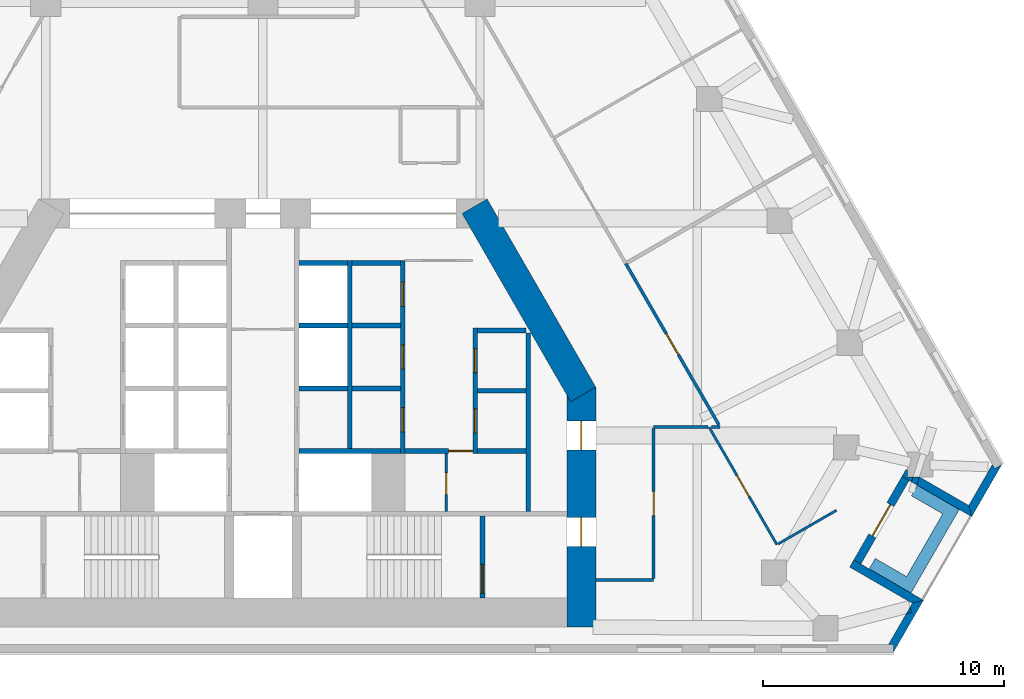
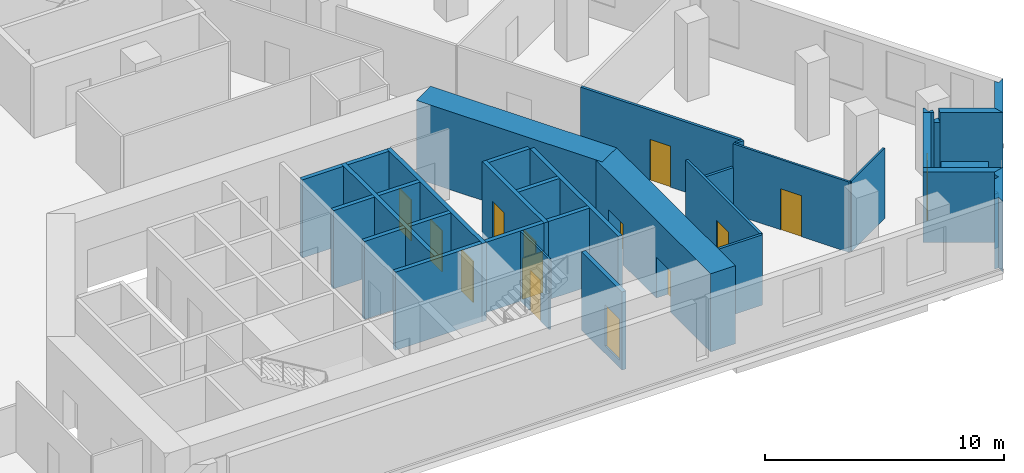
# One storey, part 6 of 9: 35 walls, 14 doors, 14 openings.
"""IFC4 building model written with IfcOpenShell, lengths in metres."""

from ifc_helpers import new_model, si_unit, direction, frame, frame_2d, origin, place, context, subcontext, project, spatial, polyline, rectangle, outline, extrude, material, layer, layer_set, type_object, element, fill, save


model = new_model("IFC4")

# Units and contexts
model_context = context("Model", 3, precision=1e-05, world=origin(), true_north=direction((0.0, 1.0)))
body_context = subcontext(model_context, "Body", "Model", "MODEL_VIEW")
ifc_project = project(units=[si_unit("LENGTHUNIT", "METRE"), si_unit("AREAUNIT", "SQUARE_METRE"), si_unit("VOLUMEUNIT", "CUBIC_METRE"), si_unit("PLANEANGLEUNIT", "RADIAN"), si_unit("MASSUNIT", "GRAM", prefix="KILO")], contexts=[model_context])

# Site, building, storey
site_placement = place(None, origin())
site = spatial("IfcSite", under=ifc_project, at=site_placement, CompositionType="ELEMENT")
building_placement = place(site_placement, origin())
building = spatial("IfcBuilding", under=site, at=building_placement, Name="Fogline Exchange Tower", CompositionType="ELEMENT")
storey_placement = place(building_placement, frame((0.0, 0.0, 96.10009765625)))
storey = spatial("IfcBuildingStorey", under=building, at=storey_placement, Name="L20", CompositionType="ELEMENT", Elevation=96.10009765625)

# Wall, opening, door
ifc_material_1 = material(Name="Blockwork partition", Category="masonry")
ifc_layer_1 = layer(ifc_material_1, 0.10009765625)
ifc_layer_set_1 = layer_set([ifc_layer_1], Name="CW10")
wall_type_1 = type_object("IfcWallType", Name="CW10", PredefinedType="PARTITIONING", material=ifc_layer_set_1)
wall_1_placement = place(storey_placement, frame((7.60009765625, 5.85009765625, 0.0), z_axis=(0.0, 0.0, 1.0), x_axis=(0.0, 1.0, 0.0)))
wall_1 = element("IfcWall", 1, at=wall_1_placement, inside=storey, type_object=wall_type_1, Name="WC partition", PredefinedType="PARTITIONING", context=body_context, shape_type="SweptSolid", body=[
    extrude(rectangle(XDim=2.39990234375, YDim=0.10009765625, at=frame_2d((1.199951171875, 0.0))), origin(), (0.0, 0.0, 1.0), 3.599853515625),
])
opening_1_placement = place(wall_1_placement, frame((0.699951171875, 0.0, 0.0)))
opening_1 = element("IfcOpeningElement", 2, at=opening_1_placement, cuts=wall_1, Name="Opening T06-C014", PredefinedType="OPENING", context=body_context, shape_type="SweptSolid", body=[
    extrude(rectangle(XDim=0.89990234375, YDim=2.10009765625, at=frame_2d((0.449951171875, 1.050048828125))), frame((0.0, 0.06005859375, 0.0), z_axis=(0.0, -1.0, 0.0), x_axis=(1.0, 0.0, 0.0)), (0.0, 0.0, 1.0), 0.1201171875),
])
ifc_material_2 = material(Name="Steel and timber fire door", Category="steel")
door_type_1 = type_object("IfcDoorType", Name="D-CS1", OperationType="SINGLE_SWING_RIGHT", PredefinedType="DOOR", material=ifc_material_2)
door_1_placement = place(opening_1_placement, origin())
door_1 = element("IfcDoor", 3, at=door_1_placement, inside=storey, type_object=door_type_1, Name="Door to Cleaner's Store", OperationType="SINGLE_SWING_LEFT", OverallHeight=2.10009765625, OverallWidth=0.89990234375, PredefinedType="DOOR", context=body_context, shape_type="SweptSolid", body=[
    extrude(rectangle(XDim=0.89990234375, YDim=2.10009765625, at=frame_2d((0.449951171875, 1.050048828125))), frame((0.0, 0.02490234375, 0.0), z_axis=(0.0, -1.0, 0.0), x_axis=(1.0, 0.0, 0.0)), (0.0, 0.0, 1.0), 0.050048828125),
])
fill(opening_1, door_1)

# Wall
ifc_material_3 = material(Name="Concrete C40", Category="concrete")
ifc_layer_2 = layer(ifc_material_3, 0.199951171875)
ifc_layer_set_2 = layer_set([ifc_layer_2], Name="CW20")
wall_type_2 = type_object("IfcWallType", Name="CW20", PredefinedType="SOLIDWALL", material=ifc_layer_set_2)
wall_2_placement = place(storey_placement, frame((11.0, 5.85009765625, 0.0), z_axis=(0.0, 0.0, 1.0), x_axis=(0.0, 1.0, 0.0)))
element("IfcWall", 4, at=wall_2_placement, inside=storey, type_object=wall_type_2, Name="Service room wall", PredefinedType="SOLIDWALL", context=body_context, shape_type="SweptSolid", body=[
    extrude(rectangle(XDim=7.39990234375, YDim=0.199951171875, at=frame_2d((3.699951171875, 0.0))), origin(), (0.0, 0.0, 1.0), 3.599853515625),
])

# Wall, opening, door
wall_3_placement = place(storey_placement, frame((5.89990234375, 8.35009765625, 0.0), z_axis=(0.0, 0.0, 1.0), x_axis=(1.0, 0.0, 0.0)))
wall_3 = element("IfcWall", 5, at=wall_3_placement, inside=storey, type_object=wall_type_2, Name="WC wall", PredefinedType="SOLIDWALL", context=body_context, shape_type="SweptSolid", body=[
    extrude(rectangle(XDim=2.800048828125, YDim=0.199951171875, at=frame_2d((1.39990234375, 0.0))), origin(), (0.0, 0.0, 1.0), 3.599853515625),
])
opening_2_placement = place(wall_3_placement, frame((1.800048828125, 0.0, 0.0)))
opening_2 = element("IfcOpeningElement", 6, at=opening_2_placement, cuts=wall_3, Name="Opening T06-C013", PredefinedType="OPENING", context=body_context, shape_type="SweptSolid", body=[
    extrude(rectangle(XDim=1.0, YDim=2.10009765625, at=frame_2d((0.5, 1.050048828125))), frame((0.0, 0.10986328125, 0.0), z_axis=(0.0, -1.0, 0.0), x_axis=(1.0, 0.0, 0.0)), (0.0, 0.0, 1.0), 0.219970703125),
])
door_type_2 = type_object("IfcDoorType", Name="D-WC1", OperationType="SINGLE_SWING_LEFT", PredefinedType="DOOR", material=ifc_material_2)
door_2_placement = place(opening_2_placement, frame((1.0, 0.0, 0.0), z_axis=(0.0, 0.0, 1.0), x_axis=(-1.0, 0.0, 0.0)))
door_2 = element("IfcDoor", 7, at=door_2_placement, inside=storey, type_object=door_type_2, Name="Door to Women's WC", OperationType="SINGLE_SWING_LEFT", OverallHeight=2.10009765625, OverallWidth=1.0, PredefinedType="DOOR", context=body_context, shape_type="SweptSolid", body=[
    extrude(rectangle(XDim=1.0, YDim=2.10009765625, at=frame_2d((0.5, 1.050048828125))), frame((0.0, 0.02490234375, 0.0), z_axis=(0.0, -1.0, 0.0), x_axis=(1.0, 0.0, 0.0)), (0.0, 0.0, 1.0), 0.050048828125),
])
fill(opening_2, door_2)

ifc_layer_3 = layer(ifc_material_3, 0.199951171875)
ifc_layer_set_3 = layer_set([ifc_layer_3], Name="CW20R")
wall_type_3 = type_object("IfcWallType", Name="CW20R", PredefinedType="SOLIDWALL", material=ifc_layer_set_3)
wall_4_placement = place(storey_placement, frame((9.10009765625, 2.25, -0.400146484375), z_axis=(0.0, 0.0, 1.0), x_axis=(0.0, 1.0, 0.0)))
wall_4 = element("IfcWall", 8, at=wall_4_placement, inside=storey, type_object=wall_type_3, Name="Stair enclosure wall", PredefinedType="SOLIDWALL", context=body_context, shape_type="SweptSolid", body=[
    extrude(rectangle(XDim=3.39990234375, YDim=0.199951171875, at=frame_2d((1.699951171875, 0.0))), origin(), (0.0, 0.0, 1.0), 4.0),
])
opening_3_placement = place(wall_4_placement, frame((0.199951171875, 0.0, 0.39990234375)))
opening_3 = element("IfcOpeningElement", 9, at=opening_3_placement, cuts=wall_4, Name="Opening T06-C016", PredefinedType="OPENING", context=body_context, shape_type="SweptSolid", body=[
    extrude(rectangle(XDim=1.199951171875, YDim=2.10009765625, at=frame_2d((0.60009765625, 1.050048828125))), frame((0.0, 0.10986328125, 0.0), z_axis=(0.0, -1.0, 0.0), x_axis=(1.0, 0.0, 0.0)), (0.0, 0.0, 1.0), 0.219970703125),
])
door_type_3 = type_object("IfcDoorType", Name="D-ST1", OperationType="SINGLE_SWING_LEFT", PredefinedType="DOOR", material=ifc_material_2)
door_3_placement = place(opening_3_placement, origin())
door_3 = element("IfcDoor", 10, at=door_3_placement, inside=storey, type_object=door_type_3, Name="Stair door ST2", OperationType="SINGLE_SWING_LEFT", OverallHeight=2.10009765625, OverallWidth=1.199951171875, PredefinedType="DOOR", context=body_context, shape_type="SweptSolid", body=[
    extrude(rectangle(XDim=1.199951171875, YDim=2.10009765625, at=frame_2d((0.60009765625, 1.050048828125))), frame((0.0, 0.02490234375, 0.0), z_axis=(0.0, -1.0, 0.0), x_axis=(1.0, 0.0, 0.0)), (0.0, 0.0, 1.0), 0.050048828125),
])
fill(opening_3, door_3)

# Wall, openings, doors
ifc_layer_4 = layer(ifc_material_3, 0.199951171875)
ifc_layer_set_4 = layer_set([ifc_layer_4], Name="CW20S")
wall_type_4 = type_object("IfcWallType", Name="CW20S", PredefinedType="SOLIDWALL", material=ifc_layer_set_4)
wall_5_placement = place(storey_placement, frame((8.800048828125, 8.25, -0.400146484375), z_axis=(0.0, 0.0, 1.0), x_axis=(0.0, 1.0, 0.0)))
wall_5 = element("IfcWall", 11, at=wall_5_placement, inside=storey, type_object=wall_type_4, Name="Lift shaft wall", PredefinedType="SOLIDWALL", context=body_context, shape_type="SweptSolid", body=[
    extrude(rectangle(XDim=5.199951171875, YDim=0.199951171875, at=frame_2d((2.60009765625, 0.0))), origin(), (0.0, 0.0, 1.0), 4.0),
])
opening_4_placement = place(wall_5_placement, frame((0.85009765625, 0.0, 0.39990234375)))
opening_4 = element("IfcOpeningElement", 12, at=opening_4_placement, cuts=wall_5, Name="Opening T06-C001", PredefinedType="OPENING", context=body_context, shape_type="SweptSolid", body=[
    extrude(rectangle(XDim=1.0, YDim=2.10009765625, at=frame_2d((0.5, 1.050048828125))), frame((0.0, 0.10986328125, 0.0), z_axis=(0.0, -1.0, 0.0), x_axis=(1.0, 0.0, 0.0)), (0.0, 0.0, 1.0), 0.219970703125),
])
opening_5_placement = place(wall_5_placement, frame((3.35009765625, 0.0, 0.39990234375)))
opening_5 = element("IfcOpeningElement", 13, at=opening_5_placement, cuts=wall_5, Name="Opening T06-C002", PredefinedType="OPENING", context=body_context, shape_type="SweptSolid", body=[
    extrude(rectangle(XDim=1.0, YDim=2.10009765625, at=frame_2d((0.5, 1.050048828125))), frame((0.0, 0.10986328125, 0.0), z_axis=(0.0, -1.0, 0.0), x_axis=(1.0, 0.0, 0.0)), (0.0, 0.0, 1.0), 0.219970703125),
])
door_type_4 = type_object("IfcDoorType", Name="D-RM1", OperationType="SINGLE_SWING_LEFT", PredefinedType="DOOR", material=ifc_material_2)
door_4_placement = place(opening_4_placement, frame((1.0, 0.0, 0.0), z_axis=(0.0, 0.0, 1.0), x_axis=(-1.0, 0.0, 0.0)))
door_4 = element("IfcDoor", 14, at=door_4_placement, inside=storey, type_object=door_type_4, Name="Door to Library Store", OperationType="SINGLE_SWING_LEFT", OverallHeight=2.10009765625, OverallWidth=1.0, PredefinedType="DOOR", context=body_context, shape_type="SweptSolid", body=[
    extrude(rectangle(XDim=1.0, YDim=2.10009765625, at=frame_2d((0.5, 1.050048828125))), frame((0.0, 0.02490234375, 0.0), z_axis=(0.0, -1.0, 0.0), x_axis=(1.0, 0.0, 0.0)), (0.0, 0.0, 1.0), 0.050048828125),
])
fill(opening_4, door_4)
door_5_placement = place(opening_5_placement, frame((1.0, 0.0, 0.0), z_axis=(0.0, 0.0, 1.0), x_axis=(-1.0, 0.0, 0.0)))
door_5 = element("IfcDoor", 15, at=door_5_placement, inside=storey, type_object=door_type_4, Name="Door to Stationery Store", OperationType="SINGLE_SWING_LEFT", OverallHeight=2.10009765625, OverallWidth=1.0, PredefinedType="DOOR", context=body_context, shape_type="SweptSolid", body=[
    extrude(rectangle(XDim=1.0, YDim=2.10009765625, at=frame_2d((0.5, 1.050048828125))), frame((0.0, 0.02490234375, 0.0), z_axis=(0.0, -1.0, 0.0), x_axis=(1.0, 0.0, 0.0)), (0.0, 0.0, 1.0), 0.050048828125),
])
fill(opening_5, door_5)

wall_6_placement = place(storey_placement, frame((5.800048828125, 8.25, -0.400146484375), z_axis=(0.0, 0.0, 1.0), x_axis=(0.0, 1.0, 0.0)))
wall_6 = element("IfcWall", 16, at=wall_6_placement, inside=storey, type_object=wall_type_4, Name="Lift shaft wall", PredefinedType="SOLIDWALL", context=body_context, shape_type="SweptSolid", body=[
    extrude(rectangle(XDim=8.0, YDim=0.199951171875, at=frame_2d((4.0, 0.0))), origin(), (0.0, 0.0, 1.0), 4.0),
])
opening_6_placement = place(wall_6_placement, frame((0.89990234375, 0.0, 0.39990234375)))
opening_6 = element("IfcOpeningElement", 17, at=opening_6_placement, cuts=wall_6, Name="Opening T06-C003", PredefinedType="OPENING", context=body_context, shape_type="SweptSolid", body=[
    extrude(rectangle(XDim=1.0, YDim=2.10009765625, at=frame_2d((0.5, 1.050048828125))), frame((0.0, 0.10986328125, 0.0), z_axis=(0.0, -1.0, 0.0), x_axis=(1.0, 0.0, 0.0)), (0.0, 0.0, 1.0), 0.219970703125),
])
opening_7_placement = place(wall_6_placement, frame((3.5, 0.0, 0.39990234375)))
opening_7 = element("IfcOpeningElement", 18, at=opening_7_placement, cuts=wall_6, Name="Opening T06-C004", PredefinedType="OPENING", context=body_context, shape_type="SweptSolid", body=[
    extrude(rectangle(XDim=1.0, YDim=2.10009765625, at=frame_2d((0.5, 1.050048828125))), frame((0.0, 0.10986328125, 0.0), z_axis=(0.0, -1.0, 0.0), x_axis=(1.0, 0.0, 0.0)), (0.0, 0.0, 1.0), 0.219970703125),
])
opening_8_placement = place(wall_6_placement, frame((6.10009765625, 0.0, 0.39990234375)))
opening_8 = element("IfcOpeningElement", 19, at=opening_8_placement, cuts=wall_6, Name="Opening T06-C005", PredefinedType="OPENING", context=body_context, shape_type="SweptSolid", body=[
    extrude(rectangle(XDim=1.0, YDim=2.10009765625, at=frame_2d((0.5, 1.050048828125))), frame((0.0, 0.10986328125, 0.0), z_axis=(0.0, -1.0, 0.0), x_axis=(1.0, 0.0, 0.0)), (0.0, 0.0, 1.0), 0.219970703125),
])
door_6_placement = place(opening_6_placement, origin())
door_6 = element("IfcDoor", 20, at=door_6_placement, inside=storey, type_object=door_type_4, Name="Door to Records Store", OperationType="SINGLE_SWING_RIGHT", OverallHeight=2.10009765625, OverallWidth=1.0, PredefinedType="DOOR", context=body_context, shape_type="SweptSolid", body=[
    extrude(rectangle(XDim=1.0, YDim=2.10009765625, at=frame_2d((0.5, 1.050048828125))), frame((0.0, 0.02490234375, 0.0), z_axis=(0.0, -1.0, 0.0), x_axis=(1.0, 0.0, 0.0)), (0.0, 0.0, 1.0), 0.050048828125),
])
fill(opening_6, door_6)
door_7_placement = place(opening_7_placement, origin())
door_7 = element("IfcDoor", 21, at=door_7_placement, inside=storey, type_object=door_type_4, Name="Door to Riser Room", OperationType="SINGLE_SWING_LEFT", OverallHeight=2.10009765625, OverallWidth=1.0, PredefinedType="DOOR", context=body_context, shape_type="SweptSolid", body=[
    extrude(rectangle(XDim=1.0, YDim=2.10009765625, at=frame_2d((0.5, 1.050048828125))), frame((0.0, 0.02490234375, 0.0), z_axis=(0.0, -1.0, 0.0), x_axis=(1.0, 0.0, 0.0)), (0.0, 0.0, 1.0), 0.050048828125),
])
fill(opening_7, door_7)
door_8_placement = place(opening_8_placement, origin())
door_8 = element("IfcDoor", 22, at=door_8_placement, inside=storey, type_object=door_type_4, Name="Door to Plant Room", OperationType="SINGLE_SWING_LEFT", OverallHeight=2.10009765625, OverallWidth=1.0, PredefinedType="DOOR", context=body_context, shape_type="SweptSolid", body=[
    extrude(rectangle(XDim=1.0, YDim=2.10009765625, at=frame_2d((0.5, 1.050048828125))), frame((0.0, 0.02490234375, 0.0), z_axis=(0.0, -1.0, 0.0), x_axis=(1.0, 0.0, 0.0)), (0.0, 0.0, 1.0), 0.050048828125),
])
fill(opening_8, door_8)

# Walls
wall_7_placement = place(storey_placement, frame((3.60009765625, 8.449951171875, -0.400146484375), z_axis=(0.0, 0.0, 1.0), x_axis=(0.0, 1.0, 0.0)))
element("IfcWall", 23, at=wall_7_placement, inside=storey, type_object=wall_type_4, Name="Lift shaft wall", PredefinedType="SOLIDWALL", context=body_context, shape_type="SweptSolid", body=[
    extrude(rectangle(XDim=7.800048828125, YDim=0.199951171875, at=frame_2d((3.89990234375, 0.0))), origin(), (0.0, 0.0, 1.0), 4.0),
])
wall_8_placement = place(storey_placement, frame((8.89990234375, 8.35009765625, -0.400146484375), z_axis=(0.0, 0.0, 1.0), x_axis=(1.0, 0.0, 0.0)))
element("IfcWall", 24, at=wall_8_placement, inside=storey, type_object=wall_type_4, Name="Lift shaft wall", PredefinedType="SOLIDWALL", context=body_context, shape_type="SweptSolid", body=[
    extrude(rectangle(XDim=2.0, YDim=0.199951171875, at=frame_2d((1.0, 0.0))), origin(), (0.0, 0.0, 1.0), 4.0),
])
wall_9_placement = place(storey_placement, frame((1.5, 8.35009765625, -0.400146484375), z_axis=(0.0, 0.0, 1.0), x_axis=(1.0, 0.0, 0.0)))
element("IfcWall", 25, at=wall_9_placement, inside=storey, type_object=wall_type_4, Name="Lift shaft wall", PredefinedType="SOLIDWALL", context=body_context, shape_type="SweptSolid", body=[
    extrude(rectangle(XDim=4.199951171875, YDim=0.199951171875, at=frame_2d((2.10009765625, 0.0))), origin(), (0.0, 0.0, 1.0), 4.0),
])
for number, where, z_axis, x_axis, name in (
    (26, (8.89990234375, 10.85009765625, -0.400146484375), (0.0, 0.0, 1.0), (1.0, 0.0, 0.0), "Lift shaft wall"),
    (27, (8.89990234375, 13.35009765625, -0.400146484375), (0.0, 0.0, 1.0), (1.0, 0.0, 0.0), "Lift shaft wall"),
    (28, (3.699951171875, 10.949951171875, -0.400146484375), (0.0, 0.0, 1.0), (1.0, 0.0, 0.0), "Lift shaft wall"),
    (29, (3.699951171875, 13.550048828125, -0.400146484375), (0.0, 0.0, 1.0), (1.0, 0.0, 0.0), "Lift shaft wall"),
    (30, (3.699951171875, 16.14990234375, -0.400146484375), (0.0, 0.0, 1.0), (1.0, 0.0, 0.0), "Lift shaft wall"),
    (31, (1.5, 10.949951171875, -0.400146484375), (0.0, 0.0, 1.0), (1.0, 0.0, 0.0), "Lift shaft wall"),
    (32, (1.5, 13.550048828125, -0.400146484375), (0.0, 0.0, 1.0), (1.0, 0.0, 0.0), "Lift shaft wall"),
    (33, (1.5, 16.14990234375, -0.400146484375), (0.0, 0.0, 1.0), (1.0, 0.0, 0.0), "Lift shaft wall"),
):
    element("IfcWall", number, at=place(storey_placement, frame(where, z_axis=z_axis, x_axis=x_axis)), inside=storey, type_object=wall_type_4, Name=name, PredefinedType="SOLIDWALL", context=body_context, shape_type="SweptSolid", body=[
        extrude(rectangle(XDim=2.0, YDim=0.199951171875, at=frame_2d((1.0, 0.0))), origin(), (0.0, 0.0, 1.0), 4.0),
    ])
ifc_material_4 = material(Name="Brick masonry", Category="masonry")
ifc_layer_5 = layer(ifc_material_4, 0.340087890625)
ifc_layer_set_5 = layer_set([ifc_layer_5], Name="FW1")
wall_type_5 = type_object("IfcWallType", Name="FW1", PredefinedType="SOLIDWALL", material=ifc_layer_set_5)
wall_10_placement = place(storey_placement, origin())
element("IfcWall", 34, at=wall_10_placement, inside=storey, type_object=wall_type_5, Name="Brick wall L20 SE-c1", PredefinedType="SOLIDWALL", context=body_context, shape_type="SweptSolid", body=[
    extrude(outline(polyline([(26.828369140625, 1.876708984375), (26.884765625, 1.6572265625), (26.669677734375, 1.60205078125), (26.828369140625, 1.876708984375)])), origin(), (0.0, 0.0, 1.0), 2.7998046875),
])
wall_11_placement = place(storey_placement, origin())
element("IfcWall", 35, at=wall_11_placement, inside=storey, type_object=wall_type_5, Name="Brick wall L20 SE-c1", PredefinedType="SOLIDWALL", context=body_context, shape_type="SweptSolid", body=[
    extrude(outline(polyline([(26.137939453125, -0.001220703125), (26.137451171875, -0.0009765625), (26.137451171875, 0.33935546875), (25.940673828125, 0.33935546875), (26.669677734375, 1.60205078125), (26.884765625, 1.6572265625), (26.828369140625, 1.876708984375), (26.923095703125, 2.041015625), (27.388916015625, 2.166015625), (27.38916015625, 2.165771484375), (26.137939453125, -0.001220703125)])), origin(), (0.0, 0.0, 1.0), 3.599853515625),
])
wall_12_placement = place(storey_placement, origin())
element("IfcWall", 36, at=wall_12_placement, inside=storey, type_object=wall_type_5, Name="Brick wall L20 SE-s1", PredefinedType="SOLIDWALL", context=body_context, shape_type="SweptSolid", body=[
    extrude(outline(polyline([(24.32470703125, 3.540283203125), (24.495361328125, 3.8359375), (24.790283203125, 3.66552734375), (27.38916015625, 2.1650390625), (27.38916015625, 2.164794921875), (26.923583984375, 2.0400390625), (24.32470703125, 3.540283203125)])), origin(), (0.0, 0.0, 1.0), 3.599853515625),
])

# Wall, opening, door
wall_13_placement = place(storey_placement, frame((24.642822265625, 3.75, 0.0), z_axis=(0.0, 0.0, 1.0), x_axis=(0.49999894854, 0.866026010844, 0.0)))
wall_13 = element("IfcWall", 37, at=wall_13_placement, inside=storey, type_object=wall_type_5, Name="Brick wall L20 SE-bk", PredefinedType="SOLIDWALL", context=body_context, shape_type="SweptSolid", body=[
    extrude(rectangle(XDim=4.0, YDim=0.340087890625, at=frame_2d((2.0, 0.0))), origin(), (0.0, 0.0, 1.0), 3.599853515625),
])
opening_9_placement = place(wall_13_placement, frame((1.25, 0.0, 0.0)))
opening_9 = element("IfcOpeningElement", 38, at=opening_9_placement, cuts=wall_13, Name="Opening T06-E081", PredefinedType="OPENING", context=body_context, shape_type="SweptSolid", body=[
    extrude(rectangle(XDim=1.5, YDim=2.39990234375, at=frame_2d((0.75, 1.199951171875))), frame((0.0, 0.18017578125, 0.0), z_axis=(0.0, -1.0, 0.0), x_axis=(1.0, 0.0, 0.0)), (0.0, 0.0, 1.0), 0.360107421875),
])
ifc_material_5 = material(Name="Aluminium and glass", Category="aluminium")
door_type_5 = type_object("IfcDoorType", Name="ED4", OperationType="SINGLE_SWING_LEFT", PredefinedType="DOOR", material=ifc_material_5)
door_9_placement = place(opening_9_placement, frame((1.5, 0.0, 0.0), z_axis=(0.0, 0.0, 1.0), x_axis=(-1.0, 0.0, 0.0)))
door_9 = element("IfcDoor", 39, at=door_9_placement, inside=storey, type_object=door_type_5, Name="Balcony door L20 SE", OperationType="DOUBLE_DOOR_SINGLE_SWING", OverallHeight=2.39990234375, OverallWidth=1.5, PredefinedType="DOOR", context=body_context, shape_type="SweptSolid", body=[
    extrude(rectangle(XDim=1.5, YDim=2.39990234375, at=frame_2d((0.75, 1.199951171875))), frame((0.0, 0.02490234375, 0.0), z_axis=(0.0, -1.0, 0.0), x_axis=(1.0, 0.0, 0.0)), (0.0, 0.0, 1.0), 0.050048828125),
])
fill(opening_9, door_9)

# Walls
wall_14_placement = place(storey_placement, origin())
element("IfcWall", 40, at=wall_14_placement, inside=storey, type_object=wall_type_5, Name="Brick wall L20 SE-s2", PredefinedType="SOLIDWALL", context=body_context, shape_type="SweptSolid", body=[
    extrude(outline(polyline([(26.887451171875, 7.072265625), (26.9501953125, 7.269287109375), (27.212646484375, 7.269287109375), (27.10888671875, 6.9443359375), (26.887451171875, 7.072265625)])), origin(), (0.0, 0.0, 1.0), 3.099853515625),
])
wall_15_placement = place(storey_placement, origin())
element("IfcWall", 41, at=wall_15_placement, inside=storey, type_object=wall_type_5, Name="Brick wall L20 SE-s2", PredefinedType="SOLIDWALL", context=body_context, shape_type="SweptSolid", body=[
    extrude(outline(polyline([(27.10888671875, 6.9443359375), (27.212646484375, 7.269287109375), (27.228515625, 7.269287109375), (29.26416015625, 6.093994140625), (29.388916015625, 5.62841796875), (29.388671875, 5.628173828125), (27.10888671875, 6.9443359375)])), origin(), (0.0, 0.0, 1.0), 3.599853515625),
])
wall_16_placement = place(storey_placement, origin())
element("IfcWall", 42, at=wall_16_placement, inside=storey, type_object=wall_type_5, Name="Brick wall L20 SE-s2", PredefinedType="SOLIDWALL", context=body_context, shape_type="SweptSolid", body=[
    extrude(outline(polyline([(26.78955078125, 7.128662109375), (26.49462890625, 7.298828125), (26.665283203125, 7.594482421875), (26.72412109375, 7.560546875), (26.72412109375, 7.269287109375), (26.9501953125, 7.269287109375), (26.887451171875, 7.072265625), (26.78955078125, 7.128662109375)])), origin(), (0.0, 0.0, 1.0), 3.599853515625),
])
wall_17_placement = place(storey_placement, origin())
element("IfcWall", 43, at=wall_17_placement, inside=storey, type_object=wall_type_5, Name="Brick wall L20 SE-c2", PredefinedType="SOLIDWALL", context=body_context, shape_type="SweptSolid", body=[
    extrude(outline(polyline([(30.245361328125, 7.79541015625), (30.34375, 7.625), (30.638671875, 7.79541015625), (30.63916015625, 7.794921875), (29.387939453125, 5.6279296875), (29.3876953125, 5.6279296875), (29.262939453125, 6.09375), (30.245361328125, 7.79541015625)])), origin(), (0.0, 0.0, 1.0), 3.599853515625),
])
ifc_material_6 = material(Name="Concrete C30", Category="concrete")
ifc_layer_6 = layer(ifc_material_6, 0.199951171875)
ifc_layer_set_6 = layer_set([ifc_layer_6], Name="PL1")
wall_type_6 = type_object("IfcWallType", Name="PL1", PredefinedType="USERDEFINED", material=ifc_layer_set_6)
wall_18_placement = place(storey_placement, origin())
element("IfcWall", 44, at=wall_18_placement, inside=storey, type_object=wall_type_6, Name="PLANTER balcony L20 SE", ObjectType="PLANTER", PredefinedType="USERDEFINED", context=body_context, shape_type="SweptSolid", body=[
    extrude(outline(polyline([(25.136474609375, 3.465087890625), (26.435302734375, 2.715087890625), (26.435302734375, 2.715087890625), (26.868408203125, 2.465087890625), (28.868408203125, 5.92919921875), (27.136474609375, 6.92919921875), (26.886474609375, 6.49609375), (28.185302734375, 5.74609375), (26.685302734375, 3.148193359375), (25.386474609375, 3.898193359375), (25.136474609375, 3.465087890625)])), origin(), (0.0, 0.0, 1.0), 1.099853515625),
])

# Wall, opening, door
ifc_material_7 = material(Name="Plasterboard partition, 2 layers each side on steel studs", Category="steel")
ifc_layer_7 = layer(ifc_material_7, 0.10009765625)
ifc_layer_set_7 = layer_set([ifc_layer_7], Name="PW1")
wall_type_7 = type_object("IfcWallType", Name="PW1", PredefinedType="PARTITIONING", material=ifc_layer_set_7)
wall_19_placement = place(storey_placement, frame((18.498779296875, 9.340087890625, 0.0), z_axis=(0.0, 0.0, 1.0), x_axis=(0.500014308813, -0.86601714243, 0.0)))
wall_19 = element("IfcWall", 45, at=wall_19_placement, inside=storey, type_object=wall_type_7, Name="wall-L20-W044", PredefinedType="PARTITIONING", context=body_context, shape_type="SweptSolid", body=[
    extrude(rectangle(XDim=5.623779296875, YDim=0.10009765625, at=frame_2d((2.81201171875, 0.0))), origin(), (0.0, 0.0, 1.0), 3.599853515625),
])
opening_10_placement = place(wall_19_placement, frame((2.31201171875, 0.0, 0.0)))
opening_10 = element("IfcOpeningElement", 46, at=opening_10_placement, cuts=wall_19, Name="Opening T06-D019", PredefinedType="OPENING", context=body_context, shape_type="SweptSolid", body=[
    extrude(rectangle(XDim=1.0, YDim=2.10009765625, at=frame_2d((0.5, 1.050048828125))), frame((0.0, 0.06005859375, 0.0), z_axis=(0.0, -1.0, 0.0), x_axis=(1.0, 0.0, 0.0)), (0.0, 0.0, 1.0), 0.1201171875),
])
ifc_material_8 = material(Name="Timber door leaf with steel frame", Category="steel")
door_type_6 = type_object("IfcDoorType", Name="D1", OperationType="SINGLE_SWING_LEFT", PredefinedType="DOOR", material=ifc_material_8)
door_10_placement = place(opening_10_placement, frame((1.0, 0.0, 0.0), z_axis=(0.0, 0.0, 1.0), x_axis=(-1.0, 0.0, 0.0)))
door_10 = element("IfcDoor", 47, at=door_10_placement, inside=storey, type_object=door_type_6, Name="door-L20-D019", OperationType="SINGLE_SWING_RIGHT", OverallHeight=2.10009765625, OverallWidth=1.0, PredefinedType="DOOR", context=body_context, shape_type="SweptSolid", body=[
    extrude(rectangle(XDim=1.0, YDim=2.10009765625, at=frame_2d((0.5, 1.050048828125))), frame((0.0, 0.02490234375, 0.0), z_axis=(0.0, -1.0, 0.0), x_axis=(1.0, 0.0, 0.0)), (0.0, 0.0, 1.0), 0.050048828125),
])
fill(opening_10, door_10)

# Wall
wall_20_placement = place(storey_placement, frame((21.35400390625, 4.49462890625, 0.0), z_axis=(0.0, 0.0, 1.0), x_axis=(0.866024457297, 0.500001639361, 0.0)))
element("IfcWall", 48, at=wall_20_placement, inside=storey, type_object=wall_type_7, Name="wall-L20-W045", PredefinedType="PARTITIONING", context=body_context, shape_type="SweptSolid", body=[
    extrude(rectangle(XDim=2.80078125, YDim=0.10009765625, at=frame_2d((1.400390625, 0.0))), origin(), (0.0, 0.0, 1.0), 3.599853515625),
])

# Wall, opening, door
ifc_material_9 = material(Name="Plasterboard corridor partition with mineral wool, 2 layers each side")
ifc_layer_8 = layer(ifc_material_9, 0.125)
ifc_layer_set_8 = layer_set([ifc_layer_8], Name="PW2")
wall_type_8 = type_object("IfcWallType", Name="PW2", PredefinedType="PARTITIONING", material=ifc_layer_set_8)
wall_21_placement = place(storey_placement, frame((16.199951171875, 9.277587890625, 0.0), z_axis=(0.0, 0.0, 1.0), x_axis=(0.0, -1.0, 0.0)))
wall_21 = element("IfcWall", 49, at=wall_21_placement, inside=storey, type_object=wall_type_8, Name="wall-L20-W001", PredefinedType="PARTITIONING", context=body_context, shape_type="SweptSolid", body=[
    extrude(rectangle(XDim=6.215087890625, YDim=0.125, at=frame_2d((3.107421875, 0.0))), origin(), (0.0, 0.0, 1.0), 3.599853515625),
])
opening_11_placement = place(wall_21_placement, frame((2.607421875, 0.0, 0.0)))
opening_11 = element("IfcOpeningElement", 50, at=opening_11_placement, cuts=wall_21, Name="Opening T06-D001", PredefinedType="OPENING", context=body_context, shape_type="SweptSolid", body=[
    extrude(rectangle(XDim=1.0, YDim=2.10009765625, at=frame_2d((0.5, 1.050048828125))), frame((0.0, 0.072509765625, 0.0), z_axis=(0.0, -1.0, 0.0), x_axis=(1.0, 0.0, 0.0)), (0.0, 0.0, 1.0), 0.14501953125),
])
ifc_material_10 = material(Name="Fire-rated timber door leaf with steel frame", Category="steel")
door_type_7 = type_object("IfcDoorType", Name="D3", OperationType="SINGLE_SWING_LEFT", PredefinedType="DOOR", material=ifc_material_10)
door_11_placement = place(opening_11_placement, origin())
door_11 = element("IfcDoor", 51, at=door_11_placement, inside=storey, type_object=door_type_7, Name="door-L20-D001", OperationType="SINGLE_SWING_LEFT", OverallHeight=2.10009765625, OverallWidth=1.0, PredefinedType="DOOR", context=body_context, shape_type="SweptSolid", body=[
    extrude(rectangle(XDim=1.0, YDim=2.10009765625, at=frame_2d((0.5, 1.050048828125))), frame((0.0, 0.02490234375, 0.0), z_axis=(0.0, -1.0, 0.0), x_axis=(1.0, 0.0, 0.0)), (0.0, 0.0, 1.0), 0.050048828125),
])
fill(opening_11, door_11)

# Walls
wall_22_placement = place(storey_placement, frame((16.199951171875, 3.0, 0.0), z_axis=(0.0, 0.0, 1.0), x_axis=(-1.0, 0.0, 0.0)))
element("IfcWall", 52, at=wall_22_placement, inside=storey, type_object=wall_type_8, Name="wall-L20-W002", PredefinedType="PARTITIONING", context=body_context, shape_type="SweptSolid", body=[
    extrude(rectangle(XDim=2.39990234375, YDim=0.125, at=frame_2d((1.199951171875, 0.0))), origin(), (0.0, 0.0, 1.0), 3.599853515625),
])
wall_23_placement = place(storey_placement, frame((18.455078125, 9.340087890625, 0.0), z_axis=(0.0, 0.0, 1.0), x_axis=(-1.0, 0.0, 0.0)))
element("IfcWall", 53, at=wall_23_placement, inside=storey, type_object=wall_type_8, Name="wall-L20-W024", PredefinedType="PARTITIONING", context=body_context, shape_type="SweptSolid", body=[
    extrude(rectangle(XDim=2.255126953125, YDim=0.125, at=frame_2d((1.12744140625, 0.0))), origin(), (0.0, 0.0, 1.0), 2.39990234375),
])

# Wall, opening, door
wall_24_placement = place(storey_placement, frame((15.043701171875, 16.12451171875, 0.0), z_axis=(0.0, 0.0, 1.0), x_axis=(0.499983247966, -0.86603507536, 0.0)))
wall_24 = element("IfcWall", 54, at=wall_24_placement, inside=storey, type_object=wall_type_8, Name="wall-L20-W025", PredefinedType="PARTITIONING", context=body_context, shape_type="SweptSolid", body=[
    extrude(rectangle(XDim=7.725341796875, YDim=0.125, at=frame_2d((3.86279296875, 0.0))), origin(), (0.0, 0.0, 1.0), 3.599853515625),
])
opening_12_placement = place(wall_24_placement, frame((3.36279296875, 0.0, 0.0)))
opening_12 = element("IfcOpeningElement", 55, at=opening_12_placement, cuts=wall_24, Name="Opening T06-D012", PredefinedType="OPENING", context=body_context, shape_type="SweptSolid", body=[
    extrude(rectangle(XDim=1.0, YDim=2.10009765625, at=frame_2d((0.5, 1.050048828125))), frame((0.0, 0.072509765625, 0.0), z_axis=(0.0, -1.0, 0.0), x_axis=(1.0, 0.0, 0.0)), (0.0, 0.0, 1.0), 0.14501953125),
])
door_12_placement = place(opening_12_placement, origin())
door_12 = element("IfcDoor", 56, at=door_12_placement, inside=storey, type_object=door_type_7, Name="door-L20-D012", OperationType="SINGLE_SWING_RIGHT", OverallHeight=2.10009765625, OverallWidth=1.0, PredefinedType="DOOR", context=body_context, shape_type="SweptSolid", body=[
    extrude(rectangle(XDim=1.0, YDim=2.10009765625, at=frame_2d((0.5, 1.050048828125))), frame((0.0, 0.02490234375, 0.0), z_axis=(0.0, -1.0, 0.0), x_axis=(1.0, 0.0, 0.0)), (0.0, 0.0, 1.0), 0.050048828125),
])
fill(opening_12, door_12)

# Wall
wall_25_placement = place(storey_placement, frame((18.960693359375, 9.340087890625, 0.0), z_axis=(0.0, 0.0, 1.0), x_axis=(-1.0, 0.0, 0.0)))
element("IfcWall", 57, at=wall_25_placement, inside=storey, type_object=wall_type_8, Name="wall-L20-W026", PredefinedType="PARTITIONING", context=body_context, shape_type="SweptSolid", body=[
    extrude(rectangle(XDim=0.36767578125, YDim=0.125, at=frame_2d((0.183837890625, 0.0))), origin(), (0.0, 0.0, 1.0), 3.599853515625),
])

# Wall, openings, doors
ifc_material_11 = material(Name="Concrete C60", Category="concrete")
ifc_layer_9 = layer(ifc_material_11, 1.199951171875)
ifc_layer_set_9 = layer_set([ifc_layer_9], Name="SW02")
wall_type_9 = type_object("IfcWallType", Name="SW02", PredefinedType="SHEAR", material=ifc_layer_set_9)
wall_26_placement = place(storey_placement, frame((13.199951171875, 1.050048828125, 0.0), z_axis=(0.0, 0.0, 1.0), x_axis=(0.0, 1.0, 0.0)))
wall_26 = element("IfcWall", 58, at=wall_26_placement, inside=storey, type_object=wall_type_9, Name="L20-W902", PredefinedType="SHEAR", context=body_context, shape_type="SweptSolid", body=[
    extrude(rectangle(XDim=9.948974609375, YDim=1.199951171875, at=frame_2d((4.974609375, 0.0))), origin(), (0.0, 0.0, 1.0), 4.0),
])
opening_13_placement = place(wall_26_placement, frame((3.35009765625, 0.0, 0.0)))
opening_13 = element("IfcOpeningElement", 59, at=opening_13_placement, cuts=wall_26, Name="Opening T06-C015", PredefinedType="OPENING", context=body_context, shape_type="SweptSolid", body=[
    extrude(rectangle(XDim=1.199951171875, YDim=2.10009765625, at=frame_2d((0.60009765625, 1.050048828125))), frame((0.0, 0.60986328125, 0.0), z_axis=(0.0, -1.0, 0.0), x_axis=(1.0, 0.0, 0.0)), (0.0, 0.0, 1.0), 1.219970703125),
])
opening_14_placement = place(wall_26_placement, frame((7.35009765625, 0.0, 0.0)))
opening_14 = element("IfcOpeningElement", 60, at=opening_14_placement, cuts=wall_26, Name="Opening T06-C017", PredefinedType="OPENING", context=body_context, shape_type="SweptSolid", body=[
    extrude(rectangle(XDim=1.199951171875, YDim=2.10009765625, at=frame_2d((0.60009765625, 1.050048828125))), frame((0.0, 0.60986328125, 0.0), z_axis=(0.0, -1.0, 0.0), x_axis=(1.0, 0.0, 0.0)), (0.0, 0.0, 1.0), 1.219970703125),
])
door_type_8 = type_object("IfcDoorType", Name="D-FR1", OperationType="SINGLE_SWING_RIGHT", PredefinedType="DOOR", material=ifc_material_2)
door_13_placement = place(opening_13_placement, origin())
door_13 = element("IfcDoor", 61, at=door_13_placement, inside=storey, type_object=door_type_8, Name="Front room door ST2", OperationType="SINGLE_SWING_RIGHT", OverallHeight=2.10009765625, OverallWidth=1.199951171875, PredefinedType="DOOR", context=body_context, shape_type="SweptSolid", body=[
    extrude(rectangle(XDim=1.199951171875, YDim=2.10009765625, at=frame_2d((0.60009765625, 1.050048828125))), frame((0.0, 0.02490234375, 0.0), z_axis=(0.0, -1.0, 0.0), x_axis=(1.0, 0.0, 0.0)), (0.0, 0.0, 1.0), 0.050048828125),
])
fill(opening_13, door_13)
door_type_9 = type_object("IfcDoorType", Name="D-SV1", OperationType="SINGLE_SWING_LEFT", PredefinedType="DOOR", material=ifc_material_2)
door_14_placement = place(opening_14_placement, origin())
door_14 = element("IfcDoor", 62, at=door_14_placement, inside=storey, type_object=door_type_9, Name="Service door E", OperationType="SINGLE_SWING_RIGHT", OverallHeight=2.10009765625, OverallWidth=1.199951171875, PredefinedType="DOOR", context=body_context, shape_type="SweptSolid", body=[
    extrude(rectangle(XDim=1.199951171875, YDim=2.10009765625, at=frame_2d((0.60009765625, 1.050048828125))), frame((0.0, 0.02490234375, 0.0), z_axis=(0.0, -1.0, 0.0), x_axis=(1.0, 0.0, 0.0)), (0.0, 0.0, 1.0), 0.050048828125),
])
fill(opening_14, door_14)

# Wall
wall_27_placement = place(storey_placement, frame((13.280517578125, 10.698974609375, 0.0), z_axis=(0.0, 0.0, 1.0), x_axis=(-0.499998513025, 0.866026262288, 0.0)))
element("IfcWall", 63, at=wall_27_placement, inside=storey, type_object=wall_type_9, Name="L20-W903", PredefinedType="SHEAR", context=body_context, shape_type="SweptSolid", body=[
    extrude(rectangle(XDim=9.0078125, YDim=1.199951171875, at=frame_2d((4.50390625, 0.0))), origin(), (0.0, 0.0, 1.0), 4.0),
])

save(model, "model.ifc")
